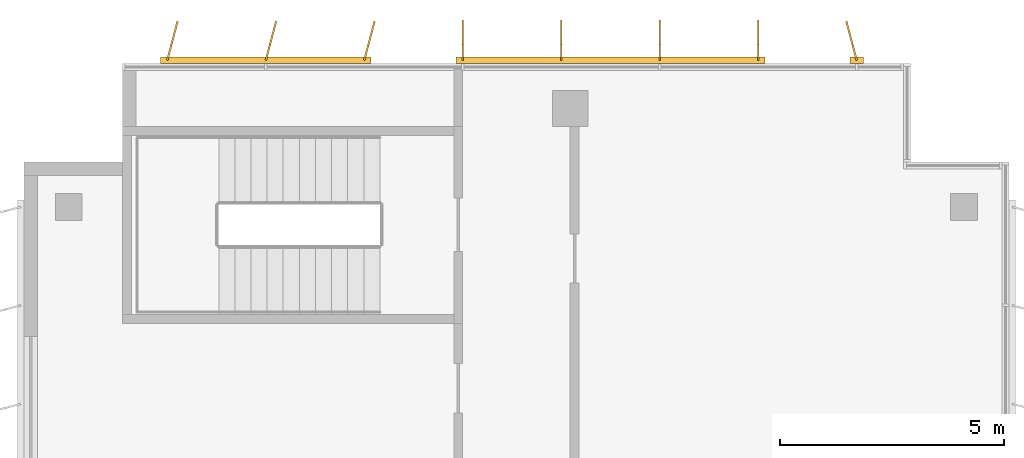
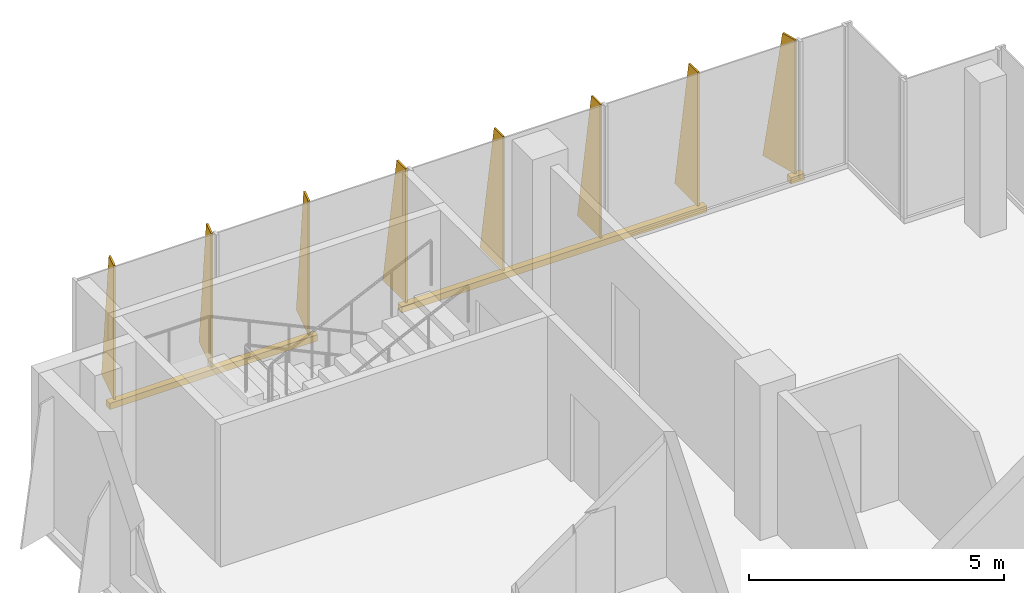
# One storey, part 15 of 15: 3 shading devices.
"""IFC4 building model written with IfcOpenShell, lengths in metres."""

import ifcopenshell
import ifcopenshell.guid

model = None  # the IFC model being written
_history = None  # IfcOwnerHistory: only IFC2X3 demands one
_inside = {}  # id of a spatial element -> (the spatial element, [elements in it])
_under = {}  # id of a project, library or spatial element -> (it, [spatial elements below it])
_declared = {}  # id of a project -> (the project, [libraries it declares])
_typed = {}  # id of a type object -> (the type object, [elements of that type])
_made_of = {}  # id of a material, layer set ... -> (it, [elements and type objects made of it])


def new_model(schema):
    """Start an empty IFC model of exactly this schema.

    Asked for "IFC4X3", IfcOpenShell would pick the latest addendum, in which some entities
    have other attributes; the version numbers below select the first issue.
    IFC2X3 requires an IfcOwnerHistory on every rooted entity: one is made here for all.
    """
    global model, _history
    if schema == "IFC4X3":
        model = ifcopenshell.file(schema_version=(4, 3, 0, 0))
    else:
        model = ifcopenshell.file(schema=schema)
    _inside.clear()
    _under.clear()
    _declared.clear()
    _typed.clear()
    _made_of.clear()
    _history = None
    if model.schema == "IFC2X3":
        org = make("IfcOrganization", Name="unknown")
        user = make(
            "IfcPersonAndOrganization",
            ThePerson=make("IfcPerson", FamilyName="unknown"),
            TheOrganization=org,
        )
        app = make(
            "IfcApplication",
            ApplicationDeveloper=org,
            Version="unknown",
            ApplicationFullName="unknown",
            ApplicationIdentifier="unknown",
        )
        _history = make(
            "IfcOwnerHistory",
            OwningUser=user,
            OwningApplication=app,
            ChangeAction="ADDED",
            CreationDate=0,
        )
    return model


def make(cls, **values):
    """One entity of the class cls with the attributes given. An attribute that is None is left unset."""
    return model.create_entity(
        cls, **{name: value for name, value in values.items() if value is not None}
    )


def rooted(cls, **values):
    """An entity with a GlobalId (a new one), such as an element, a storey or a relation."""
    return make(cls, GlobalId=ifcopenshell.guid.new(), OwnerHistory=_history, **values)


def si_unit(unit_type, name, prefix=None):
    """IfcSIUnit, for example si_unit("LENGTHUNIT", "METRE", prefix="MILLI")."""
    return make("IfcSIUnit", UnitType=unit_type, Prefix=prefix, Name=name)


def assignment(units):
    """IfcUnitAssignment: the units of a project."""
    return None if units is None else make("IfcUnitAssignment", Units=units)


def point(xyz):
    """IfcCartesianPoint."""
    return None if xyz is None else make("IfcCartesianPoint", Coordinates=xyz)


def direction(xyz):
    """IfcDirection."""
    return None if xyz is None else make("IfcDirection", DirectionRatios=xyz)


def frame(location, z_axis=None, x_axis=None):
    """IfcAxis2Placement3D, a coordinate frame: its origin and axes. An axis left out is left unset."""
    return make(
        "IfcAxis2Placement3D",
        Location=point(location),
        Axis=direction(z_axis),
        RefDirection=direction(x_axis),
    )


def frame_2d(location, x_axis=None):
    """IfcAxis2Placement2D, a coordinate frame in the plane: its origin and x axis."""
    return make(
        "IfcAxis2Placement2D", Location=point(location), RefDirection=direction(x_axis)
    )


def origin():
    """The frame at (0, 0, 0) with its axes left unset."""
    return frame((0.0, 0.0, 0.0))


def origin_2d():
    """The frame at (0, 0) in the plane with its x axis left unset."""
    return frame_2d((0.0, 0.0))


def place(relative_to, where):
    """IfcLocalPlacement: puts the frame where relative to a parent placement (None: the world)."""
    return make(
        "IfcLocalPlacement", PlacementRelTo=relative_to, RelativePlacement=where
    )


def context(
    kind, dimensions, precision=None, world=None, true_north=None, identifier=None
):
    """IfcGeometricRepresentationContext, for example the 3D "Model" context."""
    return make(
        "IfcGeometricRepresentationContext",
        ContextIdentifier=identifier,
        ContextType=kind,
        CoordinateSpaceDimension=dimensions,
        Precision=precision,
        WorldCoordinateSystem=world,
        TrueNorth=true_north,
    )


def subcontext(parent, identifier, kind, view, scale=None):
    """IfcGeometricRepresentationSubContext, for example "Body" below "Model"."""
    return make(
        "IfcGeometricRepresentationSubContext",
        ContextIdentifier=identifier,
        ContextType=kind,
        ParentContext=parent,
        TargetScale=scale,
        TargetView=view,
    )


def project(units=None, contexts=None):
    """IfcProject with its units and contexts."""
    return rooted(
        "IfcProject",
        Name="project",
        RepresentationContexts=contexts,
        UnitsInContext=assignment(units),
    )


def spatial(cls, under=None, at=None, **own):
    """A site, building, storey or space (cls), placed at a placement, below another one or the project."""
    s = rooted(cls, ObjectPlacement=at, **own)
    if under is not None:
        _under.setdefault(under.id(), (under, []))[1].append(s)
    return s


def polyline(points):
    """IfcPolyline through the points."""
    return make("IfcPolyline", Points=[point(p) for p in points])


def profile(cls, at=None, kind="AREA", **sizes):
    """A parametric profile (cls). Its sizes go by their IFC names, for example OverallWidth=200.0."""
    return make(cls, ProfileType=kind, Position=at, **sizes)


def rectangle(**sizes):
    """IfcRectangleProfileDef."""
    return profile("IfcRectangleProfileDef", **sizes)


def outline(outer, holes=None, kind="AREA"):
    """IfcArbitraryClosedProfileDef: a profile drawn as a closed curve; with holes, ...WithVoids."""
    if holes is None:
        return make("IfcArbitraryClosedProfileDef", ProfileType=kind, OuterCurve=outer)
    return make(
        "IfcArbitraryProfileDefWithVoids",
        ProfileType=kind,
        OuterCurve=outer,
        InnerCurves=holes,
    )


def extrude(swept, where, along, depth):
    """IfcExtrudedAreaSolid: the profile swept, set in the frame where, extruded along a direction by depth."""
    return make(
        "IfcExtrudedAreaSolid",
        SweptArea=swept,
        Position=where,
        ExtrudedDirection=direction(along),
        Depth=depth,
    )


def shape(context_of_items, identifier, shape_type, items):
    """IfcShapeRepresentation: the items that make up one representation, for example the "Body"."""
    return make(
        "IfcShapeRepresentation",
        ContextOfItems=context_of_items,
        RepresentationIdentifier=identifier,
        RepresentationType=shape_type,
        Items=items,
    )


def source(mapping_origin, context_of_items, identifier, shape_type, items):
    """IfcRepresentationMap: a shape defined once, which mapped items show again and again."""
    return make(
        "IfcRepresentationMap",
        MappingOrigin=mapping_origin,
        MappedRepresentation=shape(context_of_items, identifier, shape_type, items),
    )


def transform(
    local_origin,
    x_axis=None,
    y_axis=None,
    z_axis=None,
    scale=None,
    scale2=None,
    scale3=None,
    uniform=True,
):
    """IfcCartesianTransformationOperator3D, or its non-uniform kind. x_axis, y_axis, z_axis: its Axis1, 2, 3."""
    if uniform:
        return make(
            "IfcCartesianTransformationOperator3D",
            Axis1=direction(x_axis),
            Axis2=direction(y_axis),
            LocalOrigin=point(local_origin),
            Scale=scale,
            Axis3=direction(z_axis),
        )
    return make(
        "IfcCartesianTransformationOperator3DnonUniform",
        Axis1=direction(x_axis),
        Axis2=direction(y_axis),
        LocalOrigin=point(local_origin),
        Scale=scale,
        Axis3=direction(z_axis),
        Scale2=scale2,
        Scale3=scale3,
    )


def mapped(mapping_source, mapping_target):
    """IfcMappedItem: shows the shape of a source again, moved by a transform."""
    return make(
        "IfcMappedItem", MappingSource=mapping_source, MappingTarget=mapping_target
    )


def material(Name=None, Category=None):
    """IfcMaterial."""
    return make("IfcMaterial", Name=Name, Category=Category)


def layer(
    of_material, thickness, ventilated=None, Name=None, Category=None, Priority=None
):
    """IfcMaterialLayer: one layer of a wall or slab, of a material (None: an air gap)."""
    return make(
        "IfcMaterialLayer",
        Material=of_material,
        LayerThickness=thickness,
        IsVentilated=ventilated,
        Name=Name,
        Category=Category,
        Priority=Priority,
    )


def layer_set(layers, Name=None):
    """IfcMaterialLayerSet."""
    return make("IfcMaterialLayerSet", MaterialLayers=layers, LayerSetName=Name)


def made_of(thing, what):
    """Note that an element or type object is made of a material, layer set ...; save() writes the relation."""
    if what is not None:
        _made_of.setdefault(what.id(), (what, []))[1].append(thing)
    return thing


def type_object(cls, material=None, **own):
    """A type object (cls), such as IfcWallType, which elements share."""
    return made_of(rooted(cls, **own), material)


def element(
    cls,
    number,
    at=None,
    inside=None,
    cuts=None,
    type_object=None,
    material=None,
    context=None,
    identifier="Body",
    shape_type=None,
    held_by="IfcProductDefinitionShape",
    body=None,
    shapes=None,
    **own,
):
    """One element of the class cls, such as IfcWall. Its Tag is "e" and its number.

    at: its placement. inside: the storey or other place that contains it. cuts: it is an
    opening in that element (IfcRelVoidsElement). A single representation is given by context,
    identifier, shape_type and body (its items); several are given by shapes. held_by: the class
    of the entity that holds the representations. save() writes the other relations.
    """
    e = rooted(cls, Tag="e%d" % number, ObjectPlacement=at, **own)
    if body is not None:
        shapes = [shape(context, identifier, shape_type, body)]
    if shapes is not None:
        e.Representation = make(held_by, Representations=shapes)
    if inside is not None:
        _inside.setdefault(inside.id(), (inside, []))[1].append(e)
    if cuts is not None:
        rooted(
            "IfcRelVoidsElement", RelatingBuildingElement=cuts, RelatedOpeningElement=e
        )
    if type_object is not None:
        _typed.setdefault(type_object.id(), (type_object, []))[1].append(e)
    return made_of(e, material)


def aggregate(whole, parts):
    """IfcRelAggregates: a whole, such as a stair, and the parts it consists of."""
    return rooted("IfcRelAggregates", RelatingObject=whole, RelatedObjects=parts)


def save(model, path):
    """Write the relations noted so far, then the file.

    IfcRelAggregates (storeys below a building ...), IfcRelContainedInSpatialStructure (elements
    in a storey), IfcRelDefinesByType, IfcRelAssociatesMaterial and IfcRelDeclares: one each for
    every whole, place, type object, material and project.
    """
    for whole, parts in _under.values():
        aggregate(whole, parts)
    for where, things in _inside.values():
        rooted(
            "IfcRelContainedInSpatialStructure",
            RelatedElements=things,
            RelatingStructure=where,
        )
    for kind, things in _typed.values():
        rooted("IfcRelDefinesByType", RelatedObjects=things, RelatingType=kind)
    for what, things in _made_of.values():
        rooted("IfcRelAssociatesMaterial", RelatedObjects=things, RelatingMaterial=what)
    for by, libraries in _declared.values():
        rooted("IfcRelDeclares", RelatingContext=by, RelatedDefinitions=libraries)
    model.write(path)


model = new_model("IFC4")

# Units and contexts
model_context = context("Model", 3, precision=1e-05, world=origin(), true_north=direction((0.0, 1.0)))
body_context = subcontext(model_context, "Body", "Model", "MODEL_VIEW")
ifc_project = project(units=[si_unit("LENGTHUNIT", "METRE"), si_unit("AREAUNIT", "SQUARE_METRE"), si_unit("VOLUMEUNIT", "CUBIC_METRE"), si_unit("PLANEANGLEUNIT", "RADIAN"), si_unit("MASSUNIT", "GRAM", prefix="KILO")], contexts=[model_context])

# Site, building, storey
site_placement = place(None, origin())
site = spatial("IfcSite", under=ifc_project, at=site_placement, CompositionType="ELEMENT")
building_placement = place(site_placement, origin())
building = spatial("IfcBuilding", under=site, at=building_placement, Name="Kemantara Hotel Tower", CompositionType="ELEMENT")
storey_placement = place(building_placement, frame((0.0, 0.0, 290.699951171875)))
storey = spatial("IfcBuildingStorey", under=building, at=storey_placement, Name="L73", CompositionType="ELEMENT", Elevation=290.699951171875)

# Shading devices
ifc_material = material(Name="Perforated aluminium plate 4 mm bronze anodised", Category="aluminium")
ifc_layer_1 = layer(ifc_material, 0.0400390625)
ifc_layer_set_1 = layer_set([ifc_layer_1], Name="Perforated aluminium plate 4 mm bronze anodised")
shading_device_type_1 = type_object("IfcShadingDeviceType", Name="SCREEN FIN CASSETTE, 3 BLADES AT -15.0 DEG, 3200 HIGH", PredefinedType="USERDEFINED", material=ifc_layer_set_1)
shared_shape_1 = source(origin(), body_context, "Body", "SweptSolid", [
    extrude(rectangle(XDim=4.699951171875, YDim=0.14990234375, at=origin_2d()), frame((2.199951171875, -0.074951171875, -0.14990234375), z_axis=(0.0, 0.0, 1.0), x_axis=(1.0, 0.0, 0.0)), (0.0, 0.0, 1.0), 0.14990234375),
    extrude(outline(polyline([(0.0, 0.0), (0.89990234375, 0.0), (0.35009765625, 3.199951171875), (0.0, 3.199951171875), (0.0, 0.0)])), frame((0.019287109375, -0.080078125, 0.0), z_axis=(-0.966437683387, 0.256901156343, 0.0), x_axis=(-0.256901156343, -0.966437683387, 0.0)), (0.0, 0.0, 1.0), 0.039794921875),
    extrude(outline(polyline([(0.0, 0.0), (0.89990234375, 0.0), (0.35009765625, 3.199951171875), (0.0, 3.199951171875), (0.0, 0.0)])), frame((2.21923828125, -0.080078125, 0.0), z_axis=(-0.966437683387, 0.256901156343, 0.0), x_axis=(-0.256901156343, -0.966437683387, 0.0)), (0.0, 0.0, 1.0), 0.039794921875),
    extrude(outline(polyline([(0.0, 0.0), (0.89990234375, 0.0), (0.35009765625, 3.199951171875), (0.0, 3.199951171875), (0.0, 0.0)])), frame((4.41943359375, -0.080078125, 0.0), z_axis=(-0.966837822169, 0.255391122837, 0.0), x_axis=(-0.255391122837, -0.966837822169, 0.0)), (0.0, 0.0, 1.0), 0.0400390625),
])
shading_device_1_placement = place(storey_placement, frame((7.60009765625, 63.60009765625, 0.10009765625), z_axis=(0.0, 0.0, 1.0), x_axis=(-1.0, 0.0, 0.0)))
element("IfcShadingDevice", 1, at=shading_device_1_placement, inside=storey, type_object=shading_device_type_1, Name="SCREEN FIN CASSETTE L73 T4-R02-3", ObjectType="SCREEN FIN", PredefinedType="USERDEFINED", context=body_context, shape_type="MappedRepresentation", body=[
    mapped(shared_shape_1, transform((0.0, 0.0, 0.0))),
])
ifc_layer_2 = layer(ifc_material, 0.0400390625)
ifc_layer_set_2 = layer_set([ifc_layer_2], Name="Perforated aluminium plate 4 mm bronze anodised")
shading_device_type_2 = type_object("IfcShadingDeviceType", Name="SCREEN FIN CASSETTE, 4 BLADES AT +0.0 DEG, 3200 HIGH", PredefinedType="USERDEFINED", material=ifc_layer_set_2)
shared_shape_2 = source(origin(), body_context, "Body", "SweptSolid", [
    extrude(rectangle(XDim=6.89990234375, YDim=0.14990234375, at=origin_2d()), frame((3.300048828125, -0.074951171875, -0.14990234375), z_axis=(0.0, 0.0, 1.0), x_axis=(1.0, 0.0, 0.0)), (0.0, 0.0, 1.0), 0.14990234375),
    extrude(outline(polyline([(0.0, 0.0), (0.89990234375, 0.0), (0.35009765625, 3.199951171875), (0.0, 3.199951171875), (0.0, 0.0)])), frame((0.02001953125, -0.074951171875, 0.0), z_axis=(-1.0, 0.0, 0.0), x_axis=(0.0, -1.0, 0.0)), (0.0, 0.0, 1.0), 0.0400390625),
    extrude(outline(polyline([(0.0, 0.0), (0.89990234375, 0.0), (0.35009765625, 3.199951171875), (0.0, 3.199951171875), (0.0, 0.0)])), frame((2.219970703125, -0.074951171875, 0.0), z_axis=(-1.0, 0.0, 0.0), x_axis=(0.0, -1.0, 0.0)), (0.0, 0.0, 1.0), 0.0400390625),
    extrude(outline(polyline([(0.0, 0.0), (0.89990234375, 0.0), (0.35009765625, 3.199951171875), (0.0, 3.199951171875), (0.0, 0.0)])), frame((4.419921875, -0.074951171875, 0.0), z_axis=(-1.0, 0.0, 0.0), x_axis=(0.0, -1.0, 0.0)), (0.0, 0.0, 1.0), 0.0400390625),
    extrude(outline(polyline([(0.0, 0.0), (0.89990234375, 0.0), (0.35009765625, 3.199951171875), (0.0, 3.199951171875), (0.0, 0.0)])), frame((6.6201171875, -0.074951171875, 0.0), z_axis=(-1.0, 0.0, 0.0), x_axis=(0.0, -1.0, 0.0)), (0.0, 0.0, 1.0), 0.0400390625),
])
shading_device_2_placement = place(storey_placement, frame((16.39990234375, 63.60009765625, 0.10009765625), z_axis=(0.0, 0.0, 1.0), x_axis=(-1.0, 0.0, 0.0)))
element("IfcShadingDevice", 2, at=shading_device_2_placement, inside=storey, type_object=shading_device_type_2, Name="SCREEN FIN CASSETTE L73 T4-R02-2", ObjectType="SCREEN FIN", PredefinedType="USERDEFINED", context=body_context, shape_type="MappedRepresentation", body=[
    mapped(shared_shape_2, transform((0.0, 0.0, 0.0))),
])
ifc_layer_3 = layer(ifc_material, 0.0400390625)
ifc_layer_set_3 = layer_set([ifc_layer_3], Name="Perforated aluminium plate 4 mm bronze anodised")
shading_device_type_3 = type_object("IfcShadingDeviceType", Name="SCREEN FIN CASSETTE, 1 BLADE AT +15.0 DEG, 3200 HIGH", PredefinedType="USERDEFINED", material=ifc_layer_set_3)
shared_shape_3 = source(origin(), body_context, "Body", "SweptSolid", [
    extrude(rectangle(XDim=0.300048828125, YDim=0.14990234375, at=origin_2d()), frame((0.0, -0.074951171875, -0.14990234375), z_axis=(0.0, 0.0, 1.0), x_axis=(1.0, 0.0, 0.0)), (0.0, 0.0, 1.0), 0.14990234375),
    extrude(outline(polyline([(0.0, 0.0), (0.89990234375, 0.0), (0.35009765625, 3.199951171875), (0.0, 3.199951171875), (0.0, 0.0)])), frame((0.019287109375, -0.06982421875, 0.0), z_axis=(-0.966437683387, -0.256901156343, 0.0), x_axis=(0.256901156343, -0.966437683387, 0.0)), (0.0, 0.0, 1.0), 0.039794921875),
])
shading_device_3_placement = place(storey_placement, frame((18.60009765625, 63.60009765625, 0.10009765625), z_axis=(0.0, 0.0, 1.0), x_axis=(-1.0, 0.0, 0.0)))
element("IfcShadingDevice", 3, at=shading_device_3_placement, inside=storey, type_object=shading_device_type_3, Name="SCREEN FIN CASSETTE L73 T4-R02-1", ObjectType="SCREEN FIN", PredefinedType="USERDEFINED", context=body_context, shape_type="MappedRepresentation", body=[
    mapped(shared_shape_3, transform((0.0, 0.0, 0.0))),
])

save(model, "model.ifc")
